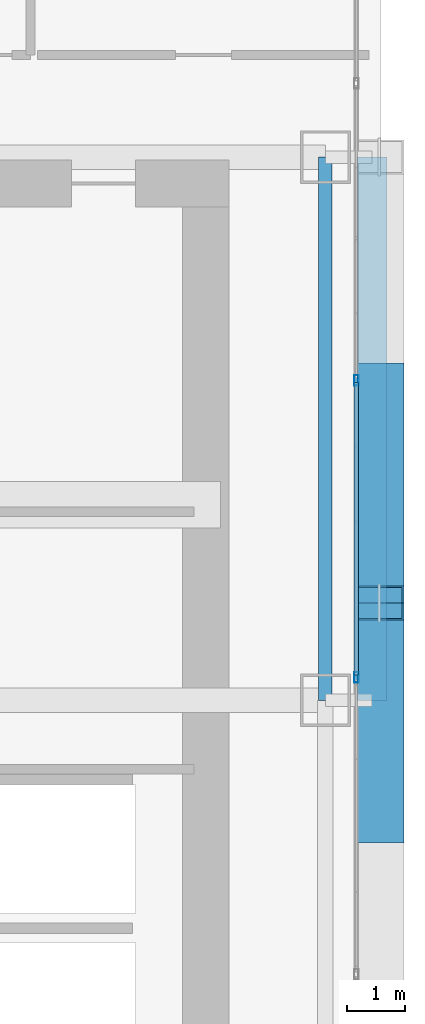
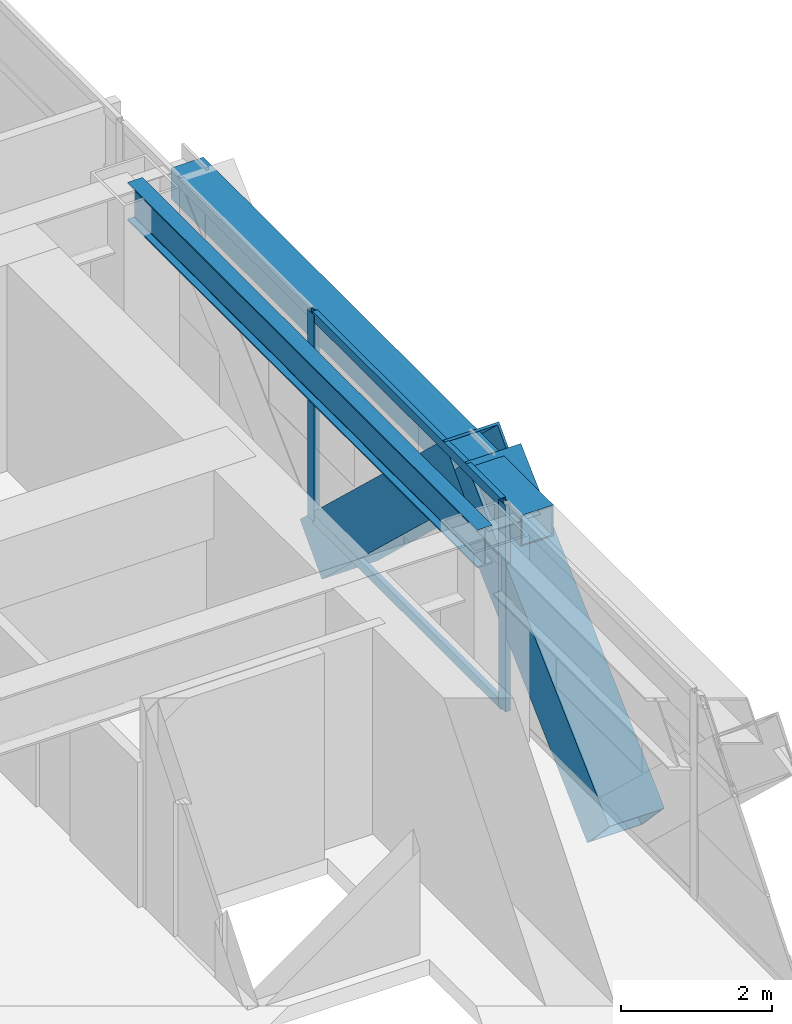
# One storey, part 18 of 41: 7 members, 2 beams, 1 element without a shape of its own.
"""IFC4 building model written with IfcOpenShell, lengths in metres."""

from ifc_helpers import new_model, si_unit, direction, frame, origin, origin_2d, place, context, subcontext, project, spatial, hollow_rectangle, i_section, extrude, source, transform, mapped, material, layer, layer_set, material_profile, profile_set, type_object, element, aggregate, save


model = new_model("IFC4")

# Units and contexts
model_context = context("Model", 3, precision=1e-05, world=origin(), true_north=direction((0.0, 1.0)))
body_context = subcontext(model_context, "Body", "Model", "MODEL_VIEW")
ifc_project = project(units=[si_unit("LENGTHUNIT", "METRE"), si_unit("AREAUNIT", "SQUARE_METRE"), si_unit("VOLUMEUNIT", "CUBIC_METRE"), si_unit("PLANEANGLEUNIT", "RADIAN"), si_unit("MASSUNIT", "GRAM", prefix="KILO")], contexts=[model_context])

# Site, building, storey
site_placement = place(None, origin())
site = spatial("IfcSite", under=ifc_project, at=site_placement, CompositionType="ELEMENT")
building_placement = place(site_placement, origin())
building = spatial("IfcBuilding", under=site, at=building_placement, Name="Ocotamira Hotel", CompositionType="ELEMENT")
storey_placement = place(building_placement, frame((0.0, 0.0, 38.39990234375)))
storey = spatial("IfcBuildingStorey", under=building, at=storey_placement, Name="L08", CompositionType="ELEMENT", Elevation=38.39990234375)

# Beams
ifc_material_1 = material(Name="Steel ASTM A992 Grade 50", Category="steel")
ifc_material_profile_1 = material_profile(ifc_material_1, i_section(OverallWidth=0.22998046875, OverallDepth=0.616943359375, WebThickness=0.01318359375, FlangeThickness=0.022216796875, FilletRadius=0.012939453125, at=origin_2d()), Name="W24X94")
ifc_profile_set_1 = profile_set([ifc_material_profile_1], Name="Steel ASTM A992 Grade 50")
beam_type_1 = type_object("IfcBeamType", Name="BM-PRIM-W24X94", PredefinedType="BEAM", material=ifc_profile_set_1)
shared_shape_1 = source(origin(), body_context, "Body", "SweptSolid", [
    extrude(i_section(OverallWidth=0.22998046875, OverallDepth=0.616943359375, WebThickness=0.01318359375, FlangeThickness=0.022216796875, FilletRadius=0.012939453125, at=origin_2d()), origin(), (0.0, 0.0, 1.0), 9.300048828125),
])
beam_1_placement = place(storey_placement, frame((55.050048828125, 28.14990234375, 3.04150390625), z_axis=(0.0, 1.0, 0.0), x_axis=(-1.0, 0.0, 0.0)))
element("IfcBeam", 1, at=beam_1_placement, inside=storey, type_object=beam_type_1, Name="L08 Beam X55.05 Y28.15-37.45", PredefinedType="BEAM", context=body_context, shape_type="MappedRepresentation", body=[
    mapped(shared_shape_1, transform((0.0, 0.0, 0.0), scale=1.0)),
])
ifc_material_2 = material(Name="Steel ASTM A500 Grade C", Category="steel")
ifc_material_profile_2 = material_profile(ifc_material_2, hollow_rectangle(XDim=0.5, YDim=0.5, WallThickness=0.02001953125, at=origin_2d()), Name="HSS500X500X20")
ifc_profile_set_2 = profile_set([ifc_material_profile_2], Name="Steel ASTM A500 Grade C")
beam_type_2 = type_object("IfcBeamType", Name="BM-SPAN-HSS500", PredefinedType="USERDEFINED", material=ifc_profile_set_2)
shared_shape_2 = source(origin(), body_context, "Body", "SweptSolid", [
    extrude(hollow_rectangle(XDim=0.5, YDim=0.5, WallThickness=0.02001953125, at=origin_2d()), origin(), (0.0, 0.0, 1.0), 9.300048828125),
])
beam_2_placement = place(storey_placement, frame((55.85009765625, 28.14990234375, 3.10009765625), z_axis=(0.0, 1.0, 0.0), x_axis=(-1.0, 0.0, 0.0)))
element("IfcBeam", 2, at=beam_2_placement, inside=storey, type_object=beam_type_2, Name="L08 Edge Spandrel E Y28.15-37.45", ObjectType="SPANDREL", PredefinedType="USERDEFINED", context=body_context, shape_type="MappedRepresentation", body=[
    mapped(shared_shape_2, transform((0.0, 0.0, 0.0), scale=1.0)),
])

# Members
ifc_material_3 = material(Name="Pale-metal coated steel ASTM A913 Grade 65", Category="steel")
ifc_material_profile_3 = material_profile(ifc_material_3, hollow_rectangle(XDim=0.85009765625, YDim=0.85009765625, WallThickness=0.035888671875, at=origin_2d()), Name="BOX850X850X36")
ifc_profile_set_3 = profile_set([ifc_material_profile_3], Name="Pale-metal coated steel ASTM A913 Grade 65")
member_type_1 = type_object("IfcMemberType", Name="MEM-EXO-BOX850", PredefinedType="BRACE", material=ifc_profile_set_3)
shared_shape_3 = source(origin(), body_context, "Body", "SweptSolid", [
    extrude(hollow_rectangle(XDim=0.85009765625, YDim=0.85009765625, WallThickness=0.035888671875, at=origin_2d()), origin(), (0.0, 0.0, 1.0), 5.24658203125),
])
for number, where, z_axis, x_axis, name in (
    (3, (55.969970703125, 26.0, -0.5), (0.0, 0.727442733726, 0.686168397078), (-1.0, 0.0, 0.0), "L08 Exoskeleton Diagrid E1.2"),
    (4, (55.969970703125, 33.63330078125, -0.5), (0.0, -0.727442733726, 0.686168397078), (1.0, 0.0, 0.0), "L08 Exoskeleton Diagrid E2.1"),
):
    element("IfcMember", number, at=place(storey_placement, frame(where, z_axis=z_axis, x_axis=x_axis)), inside=storey, type_object=member_type_1, Name=name, PredefinedType="BRACE", context=body_context, shape_type="MappedRepresentation", body=[
        mapped(shared_shape_3, transform((0.0, 0.0, 0.0), scale=1.0)),
    ])

# Curtain wall, members
ifc_material_4 = material(Name="Anodised pale-metal aluminium and solar glass", Category="aluminium")
ifc_layer = layer(ifc_material_4, 0.179931640625)
ifc_layer_set = layer_set([ifc_layer], Name="Anodised pale-metal aluminium and solar glass")
curtain_wall_type = type_object("IfcCurtainWallType", Name="CW-SYS2-Z1", PredefinedType="NOTDEFINED", material=ifc_layer_set)
curtain_wall_placement = place(storey_placement, origin())
curtain_wall = element("IfcCurtainWall", 5, at=curtain_wall_placement, inside=storey, type_object=curtain_wall_type, Name="L08 Curtain Wall CW-2 CW-L08-E", PredefinedType="NOTDEFINED")
ifc_material_5 = material(Name="Anodised pale-metal aluminium 6063-T6", Category="aluminium")
ifc_material_profile_4 = material_profile(ifc_material_5, hollow_rectangle(XDim=0.074951171875, YDim=0.14990234375, WallThickness=0.006103515625, at=origin_2d()), Name="HSS150X75X6")
ifc_profile_set_4 = profile_set([ifc_material_profile_4], Name="Anodised pale-metal aluminium 6063-T6")
member_type_2 = type_object("IfcMemberType", Name="CWT-150X75", PredefinedType="USERDEFINED", material=ifc_profile_set_4)
shared_shape_4 = source(origin(), body_context, "Body", "SweptSolid", [
    extrude(hollow_rectangle(XDim=0.074951171875, YDim=0.14990234375, WallThickness=0.006103515625, at=origin_2d()), origin(), (0.0, 0.0, 1.0), 5.005859375),
])
member_1_placement = place(storey_placement, frame((55.580078125, 28.582763671875, 0.03759765625), z_axis=(0.0, 1.0, 0.0), x_axis=(-1.0, 0.0, 0.0)))
member_1 = element("IfcMember", 6, at=member_1_placement, type_object=member_type_2, Name="CW-2 transom 5.1", ObjectType="TRANSOM", PredefinedType="USERDEFINED", context=body_context, shape_type="MappedRepresentation", body=[
    mapped(shared_shape_4, transform((0.0, 0.0, 0.0), scale=1.0)),
])
member_2_placement = place(storey_placement, frame((55.580078125, 28.582763671875, 2.35009765625), z_axis=(0.0, 1.0, 0.0), x_axis=(-1.0, 0.0, 0.0)))
member_2 = element("IfcMember", 7, at=member_2_placement, type_object=member_type_2, Name="CW-2 transom 5.2", ObjectType="TRANSOM", PredefinedType="USERDEFINED", context=body_context, shape_type="MappedRepresentation", body=[
    mapped(shared_shape_4, transform((0.0, 0.0, 0.0), scale=1.0)),
])
member_3_placement = place(storey_placement, frame((55.580078125, 28.582763671875, 3.3125), z_axis=(0.0, 1.0, 0.0), x_axis=(-1.0, 0.0, 0.0)))
member_3 = element("IfcMember", 8, at=member_3_placement, type_object=member_type_2, Name="CW-2 transom 5.3", ObjectType="TRANSOM", PredefinedType="USERDEFINED", context=body_context, shape_type="MappedRepresentation", body=[
    mapped(shared_shape_4, transform((0.0, 0.0, 0.0), scale=1.0)),
])
ifc_material_profile_5 = material_profile(ifc_material_5, hollow_rectangle(XDim=0.080078125, YDim=0.179931640625, WallThickness=0.006103515625, at=origin_2d()), Name="HSS180X80X6")
ifc_profile_set_5 = profile_set([ifc_material_profile_5], Name="Anodised pale-metal aluminium 6063-T6")
member_type_3 = type_object("IfcMemberType", Name="CWM-180X75", PredefinedType="MULLION", material=ifc_profile_set_5)
shared_shape_5 = source(origin(), body_context, "Body", "SweptSolid", [
    extrude(hollow_rectangle(XDim=0.080078125, YDim=0.179931640625, WallThickness=0.006103515625, at=origin_2d()), origin(), (0.0, 0.0, 1.0), 3.35009765625),
])
member_4_placement = place(storey_placement, frame((55.580078125, 28.54296875, 0.0), z_axis=(0.0, 0.0, 1.0), x_axis=(-1.0, 0.0, 0.0)))
member_4 = element("IfcMember", 9, at=member_4_placement, type_object=member_type_3, Name="CW-2 mullion 5", PredefinedType="MULLION", context=body_context, shape_type="MappedRepresentation", body=[
    mapped(shared_shape_5, transform((0.0, 0.0, 0.0), scale=1.0)),
])
member_5_placement = place(storey_placement, frame((55.580078125, 33.628662109375, 0.0), z_axis=(0.0, 0.0, 1.0), x_axis=(-1.0, 0.0, 0.0)))
member_5 = element("IfcMember", 10, at=member_5_placement, type_object=member_type_3, Name="CW-2 mullion 6", PredefinedType="MULLION", context=body_context, shape_type="MappedRepresentation", body=[
    mapped(shared_shape_5, transform((0.0, 0.0, 0.0), scale=1.0)),
])
aggregate(curtain_wall, [member_4, member_5, member_1, member_2, member_3])

save(model, "model.ifc")
